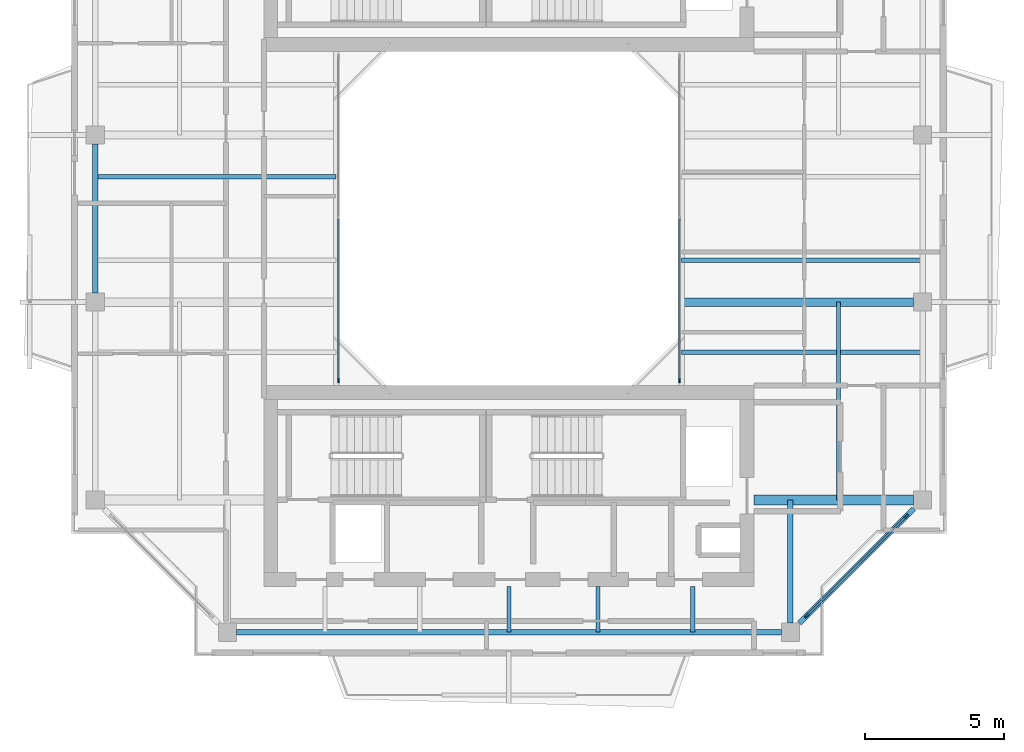
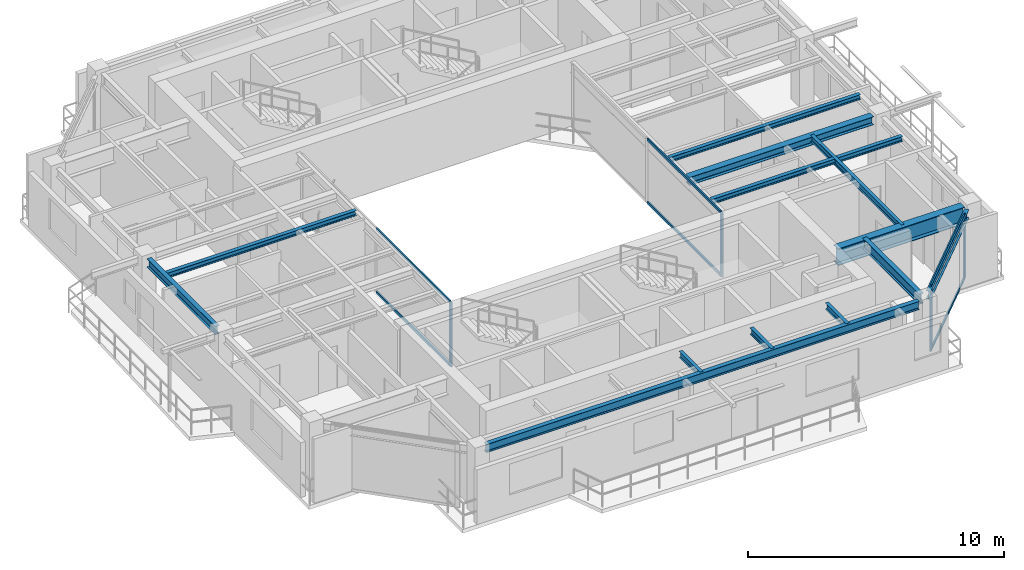
# One storey, part 4 of 15: 13 beams, 10 members, 3 elements without a shape of their own.
"""IFC4 building model written with IfcOpenShell, lengths in metres."""

import ifcopenshell
import ifcopenshell.guid

model = None  # the IFC model being written
_history = None  # IfcOwnerHistory: only IFC2X3 demands one
_inside = {}  # id of a spatial element -> (the spatial element, [elements in it])
_under = {}  # id of a project, library or spatial element -> (it, [spatial elements below it])
_declared = {}  # id of a project -> (the project, [libraries it declares])
_typed = {}  # id of a type object -> (the type object, [elements of that type])
_made_of = {}  # id of a material, layer set ... -> (it, [elements and type objects made of it])


def new_model(schema):
    """Start an empty IFC model of exactly this schema.

    Asked for "IFC4X3", IfcOpenShell would pick the latest addendum, in which some entities
    have other attributes; the version numbers below select the first issue.
    IFC2X3 requires an IfcOwnerHistory on every rooted entity: one is made here for all.
    """
    global model, _history
    if schema == "IFC4X3":
        model = ifcopenshell.file(schema_version=(4, 3, 0, 0))
    else:
        model = ifcopenshell.file(schema=schema)
    _inside.clear()
    _under.clear()
    _declared.clear()
    _typed.clear()
    _made_of.clear()
    _history = None
    if model.schema == "IFC2X3":
        org = make("IfcOrganization", Name="unknown")
        user = make(
            "IfcPersonAndOrganization",
            ThePerson=make("IfcPerson", FamilyName="unknown"),
            TheOrganization=org,
        )
        app = make(
            "IfcApplication",
            ApplicationDeveloper=org,
            Version="unknown",
            ApplicationFullName="unknown",
            ApplicationIdentifier="unknown",
        )
        _history = make(
            "IfcOwnerHistory",
            OwningUser=user,
            OwningApplication=app,
            ChangeAction="ADDED",
            CreationDate=0,
        )
    return model


def make(cls, **values):
    """One entity of the class cls with the attributes given. An attribute that is None is left unset."""
    return model.create_entity(
        cls, **{name: value for name, value in values.items() if value is not None}
    )


def rooted(cls, **values):
    """An entity with a GlobalId (a new one), such as an element, a storey or a relation."""
    return make(cls, GlobalId=ifcopenshell.guid.new(), OwnerHistory=_history, **values)


def si_unit(unit_type, name, prefix=None):
    """IfcSIUnit, for example si_unit("LENGTHUNIT", "METRE", prefix="MILLI")."""
    return make("IfcSIUnit", UnitType=unit_type, Prefix=prefix, Name=name)


def assignment(units):
    """IfcUnitAssignment: the units of a project."""
    return None if units is None else make("IfcUnitAssignment", Units=units)


def point(xyz):
    """IfcCartesianPoint."""
    return None if xyz is None else make("IfcCartesianPoint", Coordinates=xyz)


def direction(xyz):
    """IfcDirection."""
    return None if xyz is None else make("IfcDirection", DirectionRatios=xyz)


def frame(location, z_axis=None, x_axis=None):
    """IfcAxis2Placement3D, a coordinate frame: its origin and axes. An axis left out is left unset."""
    return make(
        "IfcAxis2Placement3D",
        Location=point(location),
        Axis=direction(z_axis),
        RefDirection=direction(x_axis),
    )


def frame_2d(location, x_axis=None):
    """IfcAxis2Placement2D, a coordinate frame in the plane: its origin and x axis."""
    return make(
        "IfcAxis2Placement2D", Location=point(location), RefDirection=direction(x_axis)
    )


def origin():
    """The frame at (0, 0, 0) with its axes left unset."""
    return frame((0.0, 0.0, 0.0))


def origin_2d():
    """The frame at (0, 0) in the plane with its x axis left unset."""
    return frame_2d((0.0, 0.0))


def place(relative_to, where):
    """IfcLocalPlacement: puts the frame where relative to a parent placement (None: the world)."""
    return make(
        "IfcLocalPlacement", PlacementRelTo=relative_to, RelativePlacement=where
    )


def context(
    kind, dimensions, precision=None, world=None, true_north=None, identifier=None
):
    """IfcGeometricRepresentationContext, for example the 3D "Model" context."""
    return make(
        "IfcGeometricRepresentationContext",
        ContextIdentifier=identifier,
        ContextType=kind,
        CoordinateSpaceDimension=dimensions,
        Precision=precision,
        WorldCoordinateSystem=world,
        TrueNorth=true_north,
    )


def subcontext(parent, identifier, kind, view, scale=None):
    """IfcGeometricRepresentationSubContext, for example "Body" below "Model"."""
    return make(
        "IfcGeometricRepresentationSubContext",
        ContextIdentifier=identifier,
        ContextType=kind,
        ParentContext=parent,
        TargetScale=scale,
        TargetView=view,
    )


def project(units=None, contexts=None):
    """IfcProject with its units and contexts."""
    return rooted(
        "IfcProject",
        Name="project",
        RepresentationContexts=contexts,
        UnitsInContext=assignment(units),
    )


def spatial(cls, under=None, at=None, **own):
    """A site, building, storey or space (cls), placed at a placement, below another one or the project."""
    s = rooted(cls, ObjectPlacement=at, **own)
    if under is not None:
        _under.setdefault(under.id(), (under, []))[1].append(s)
    return s


def profile(cls, at=None, kind="AREA", **sizes):
    """A parametric profile (cls). Its sizes go by their IFC names, for example OverallWidth=200.0."""
    return make(cls, ProfileType=kind, Position=at, **sizes)


def rectangle(**sizes):
    """IfcRectangleProfileDef."""
    return profile("IfcRectangleProfileDef", **sizes)


def i_section(**sizes):
    """IfcIShapeProfileDef."""
    return profile("IfcIShapeProfileDef", **sizes)


def extrude(swept, where, along, depth):
    """IfcExtrudedAreaSolid: the profile swept, set in the frame where, extruded along a direction by depth."""
    return make(
        "IfcExtrudedAreaSolid",
        SweptArea=swept,
        Position=where,
        ExtrudedDirection=direction(along),
        Depth=depth,
    )


def shape(context_of_items, identifier, shape_type, items):
    """IfcShapeRepresentation: the items that make up one representation, for example the "Body"."""
    return make(
        "IfcShapeRepresentation",
        ContextOfItems=context_of_items,
        RepresentationIdentifier=identifier,
        RepresentationType=shape_type,
        Items=items,
    )


def source(mapping_origin, context_of_items, identifier, shape_type, items):
    """IfcRepresentationMap: a shape defined once, which mapped items show again and again."""
    return make(
        "IfcRepresentationMap",
        MappingOrigin=mapping_origin,
        MappedRepresentation=shape(context_of_items, identifier, shape_type, items),
    )


def transform(
    local_origin,
    x_axis=None,
    y_axis=None,
    z_axis=None,
    scale=None,
    scale2=None,
    scale3=None,
    uniform=True,
):
    """IfcCartesianTransformationOperator3D, or its non-uniform kind. x_axis, y_axis, z_axis: its Axis1, 2, 3."""
    if uniform:
        return make(
            "IfcCartesianTransformationOperator3D",
            Axis1=direction(x_axis),
            Axis2=direction(y_axis),
            LocalOrigin=point(local_origin),
            Scale=scale,
            Axis3=direction(z_axis),
        )
    return make(
        "IfcCartesianTransformationOperator3DnonUniform",
        Axis1=direction(x_axis),
        Axis2=direction(y_axis),
        LocalOrigin=point(local_origin),
        Scale=scale,
        Axis3=direction(z_axis),
        Scale2=scale2,
        Scale3=scale3,
    )


def mapped(mapping_source, mapping_target):
    """IfcMappedItem: shows the shape of a source again, moved by a transform."""
    return make(
        "IfcMappedItem", MappingSource=mapping_source, MappingTarget=mapping_target
    )


def material(Name=None, Category=None):
    """IfcMaterial."""
    return make("IfcMaterial", Name=Name, Category=Category)


def layer(
    of_material, thickness, ventilated=None, Name=None, Category=None, Priority=None
):
    """IfcMaterialLayer: one layer of a wall or slab, of a material (None: an air gap)."""
    return make(
        "IfcMaterialLayer",
        Material=of_material,
        LayerThickness=thickness,
        IsVentilated=ventilated,
        Name=Name,
        Category=Category,
        Priority=Priority,
    )


def layer_set(layers, Name=None):
    """IfcMaterialLayerSet."""
    return make("IfcMaterialLayerSet", MaterialLayers=layers, LayerSetName=Name)


def material_profile(
    of_material, cross_section, Name=None, Category=None, Priority=None
):
    """IfcMaterialProfile: a cross section and its material."""
    return make(
        "IfcMaterialProfile",
        Name=Name,
        Material=of_material,
        Profile=cross_section,
        Priority=Priority,
        Category=Category,
    )


def profile_set(profiles, Name=None, composite=None):
    """IfcMaterialProfileSet."""
    return make(
        "IfcMaterialProfileSet",
        Name=Name,
        MaterialProfiles=profiles,
        CompositeProfile=composite,
    )


def made_of(thing, what):
    """Note that an element or type object is made of a material, layer set ...; save() writes the relation."""
    if what is not None:
        _made_of.setdefault(what.id(), (what, []))[1].append(thing)
    return thing


def type_object(cls, material=None, **own):
    """A type object (cls), such as IfcWallType, which elements share."""
    return made_of(rooted(cls, **own), material)


def element(
    cls,
    number,
    at=None,
    inside=None,
    cuts=None,
    type_object=None,
    material=None,
    context=None,
    identifier="Body",
    shape_type=None,
    held_by="IfcProductDefinitionShape",
    body=None,
    shapes=None,
    **own,
):
    """One element of the class cls, such as IfcWall. Its Tag is "e" and its number.

    at: its placement. inside: the storey or other place that contains it. cuts: it is an
    opening in that element (IfcRelVoidsElement). A single representation is given by context,
    identifier, shape_type and body (its items); several are given by shapes. held_by: the class
    of the entity that holds the representations. save() writes the other relations.
    """
    e = rooted(cls, Tag="e%d" % number, ObjectPlacement=at, **own)
    if body is not None:
        shapes = [shape(context, identifier, shape_type, body)]
    if shapes is not None:
        e.Representation = make(held_by, Representations=shapes)
    if inside is not None:
        _inside.setdefault(inside.id(), (inside, []))[1].append(e)
    if cuts is not None:
        rooted(
            "IfcRelVoidsElement", RelatingBuildingElement=cuts, RelatedOpeningElement=e
        )
    if type_object is not None:
        _typed.setdefault(type_object.id(), (type_object, []))[1].append(e)
    return made_of(e, material)


def aggregate(whole, parts):
    """IfcRelAggregates: a whole, such as a stair, and the parts it consists of."""
    return rooted("IfcRelAggregates", RelatingObject=whole, RelatedObjects=parts)


def save(model, path):
    """Write the relations noted so far, then the file.

    IfcRelAggregates (storeys below a building ...), IfcRelContainedInSpatialStructure (elements
    in a storey), IfcRelDefinesByType, IfcRelAssociatesMaterial and IfcRelDeclares: one each for
    every whole, place, type object, material and project.
    """
    for whole, parts in _under.values():
        aggregate(whole, parts)
    for where, things in _inside.values():
        rooted(
            "IfcRelContainedInSpatialStructure",
            RelatedElements=things,
            RelatingStructure=where,
        )
    for kind, things in _typed.values():
        rooted("IfcRelDefinesByType", RelatedObjects=things, RelatingType=kind)
    for what, things in _made_of.values():
        rooted("IfcRelAssociatesMaterial", RelatedObjects=things, RelatingMaterial=what)
    for by, libraries in _declared.values():
        rooted("IfcRelDeclares", RelatingContext=by, RelatedDefinitions=libraries)
    model.write(path)


model = new_model("IFC4")

# Units and contexts
model_context = context("Model", 3, precision=1e-05, world=origin(), true_north=direction((0.0, 1.0)))
body_context = subcontext(model_context, "Body", "Model", "MODEL_VIEW")
ifc_project = project(units=[si_unit("LENGTHUNIT", "METRE"), si_unit("AREAUNIT", "SQUARE_METRE"), si_unit("VOLUMEUNIT", "CUBIC_METRE"), si_unit("PLANEANGLEUNIT", "RADIAN"), si_unit("MASSUNIT", "GRAM", prefix="KILO"), si_unit("THERMODYNAMICTEMPERATUREUNIT", "KELVIN"), si_unit("POWERUNIT", "WATT")], contexts=[model_context])

# Site, building, storey
site_placement = place(None, origin())
site = spatial("IfcSite", under=ifc_project, at=site_placement, CompositionType="ELEMENT")
building_placement = place(site_placement, origin())
building = spatial("IfcBuilding", under=site, at=building_placement, Name="Qiaomeng Ring Towers", CompositionType="ELEMENT")
storey_placement = place(building_placement, frame((0.0, 0.0, 250.25)))
storey = spatial("IfcBuildingStorey", under=building, at=storey_placement, Name="L73", CompositionType="ELEMENT", Elevation=250.25)

# Beams
ifc_material_1 = material(Name="Steel Q355B", Category="steel")
ifc_material_profile_1 = material_profile(ifc_material_1, i_section(OverallWidth=0.198974609375, OverallDepth=0.39599609375, WebThickness=0.007080078125, FlangeThickness=0.010986328125, FilletRadius=0.01611328125, at=origin_2d()), Name="HN 396x199x7x11")
ifc_profile_set_1 = profile_set([ifc_material_profile_1], Name="Steel Q355B")
beam_type_1 = type_object("IfcBeamType", Name="STR-BM-HN396", PredefinedType="SPANDREL", material=ifc_profile_set_1)
shared_shape_1 = source(origin(), body_context, "Body", "SweptSolid", [
    extrude(i_section(OverallWidth=0.198974609375, OverallDepth=0.39599609375, WebThickness=0.007080078125, FlangeThickness=0.010986328125, FilletRadius=0.01611328125, at=origin_2d()), origin(), (0.0, 0.0, 1.0), 19.5517578125),
])
beam_1_placement = place(storey_placement, frame((9.22412109375, 8.14990234375, 2.8720703125), z_axis=(1.0, 0.0, 0.0), x_axis=(0.0, 1.0, 0.0)))
element("IfcBeam", 1, at=beam_1_placement, inside=storey, type_object=beam_type_1, Name="L73 beam STR-SP-L73-T1-S1-S2", PredefinedType="SPANDREL", context=body_context, shape_type="MappedRepresentation", body=[
    mapped(shared_shape_1, transform((0.0, 0.0, 0.0), x_axis=(1.0, 0.0, 0.0), y_axis=(0.0, 1.0, 0.0), z_axis=(0.0, 0.0, 1.0), scale=1.0)),
])
shared_shape_2 = source(origin(), body_context, "Body", "SweptSolid", [
    extrude(i_section(OverallWidth=0.198974609375, OverallDepth=0.39599609375, WebThickness=0.007080078125, FlangeThickness=0.010986328125, FilletRadius=0.01611328125, at=origin_2d()), origin(), (0.0, 0.0, 1.0), 5.800048828125),
])
beam_2_placement = place(storey_placement, frame((29.42431640625, 8.474365234375, 2.8720703125), z_axis=(0.707106781187, 0.707106781187, 0.0), x_axis=(-0.707106781187, 0.707106781187, 0.0)))
element("IfcBeam", 2, at=beam_2_placement, inside=storey, type_object=beam_type_1, Name="L73 beam STR-SP-L73-T1-S2-E1", PredefinedType="SPANDREL", context=body_context, shape_type="MappedRepresentation", body=[
    mapped(shared_shape_2, transform((0.0, 0.0, 0.0), x_axis=(1.0, 0.0, 0.0), y_axis=(0.0, 1.0, 0.0), z_axis=(0.0, 0.0, 1.0), scale=1.0)),
])
shared_shape_3 = source(origin(), body_context, "Body", "SweptSolid", [
    extrude(i_section(OverallWidth=0.198974609375, OverallDepth=0.39599609375, WebThickness=0.007080078125, FlangeThickness=0.010986328125, FilletRadius=0.01611328125, at=origin_2d()), origin(), (0.0, 0.0, 1.0), 5.35205078125),
])
beam_3_placement = place(storey_placement, frame((4.14990234375, 25.676025390625, 2.8720703125), z_axis=(0.0, -1.0, 0.0), x_axis=(1.0, 0.0, 0.0)))
element("IfcBeam", 3, at=beam_3_placement, inside=storey, type_object=beam_type_1, Name="L73 beam STR-SP-L73-T1-W3-W2", PredefinedType="SPANDREL", context=body_context, shape_type="MappedRepresentation", body=[
    mapped(shared_shape_3, transform((0.0, 0.0, 0.0), x_axis=(1.0, 0.0, 0.0), y_axis=(0.0, 1.0, 0.0), z_axis=(0.0, 0.0, 1.0), scale=1.0)),
])
ifc_material_2 = material(Name="Steel Q390GJC", Category="steel")
ifc_material_profile_2 = material_profile(ifc_material_2, i_section(OverallWidth=0.35009765625, OverallDepth=0.800048828125, WebThickness=0.01611328125, FlangeThickness=0.028076171875, at=origin_2d()), Name="WH 800x350x16x28")
ifc_profile_set_2 = profile_set([ifc_material_profile_2], Name="Steel Q390GJC")
beam_type_2 = type_object("IfcBeamType", Name="STR-BM-WH800", PredefinedType="BEAM", material=ifc_profile_set_2)
shared_shape_4 = source(origin(), body_context, "Body", "SweptSolid", [
    extrude(i_section(OverallWidth=0.35009765625, OverallDepth=0.800048828125, WebThickness=0.01611328125, FlangeThickness=0.028076171875, at=origin_2d()), origin(), (0.0, 0.0, 1.0), 5.725830078125),
])
beam_4_placement = place(storey_placement, frame((27.800048828125, 12.89990234375, 2.669921875), z_axis=(1.0, 0.0, 0.0), x_axis=(0.0, 1.0, 0.0)))
element("IfcBeam", 4, at=beam_4_placement, inside=storey, type_object=beam_type_2, Name="L73 beam STR-BM-L73-T1-RAD-E1", PredefinedType="BEAM", context=body_context, shape_type="MappedRepresentation", body=[
    mapped(shared_shape_4, transform((0.0, 0.0, 0.0), x_axis=(1.0, 0.0, 0.0), y_axis=(0.0, 1.0, 0.0), z_axis=(0.0, 0.0, 1.0), scale=1.0)),
])
ifc_material_profile_3 = material_profile(ifc_material_1, i_section(OverallWidth=0.198974609375, OverallDepth=0.49609375, WebThickness=0.009033203125, FlangeThickness=0.013916015625, FilletRadius=0.01806640625, at=origin_2d()), Name="HN 496x199x9x14")
ifc_profile_set_3 = profile_set([ifc_material_profile_3], Name="Steel Q355B")
beam_type_3 = type_object("IfcBeamType", Name="STR-BM-HN496", PredefinedType="BEAM", material=ifc_profile_set_3)
shared_shape_5 = source(origin(), body_context, "Body", "SweptSolid", [
    extrude(i_section(OverallWidth=0.198974609375, OverallDepth=0.49609375, WebThickness=0.009033203125, FlangeThickness=0.013916015625, FilletRadius=0.01806640625, at=origin_2d()), origin(), (0.0, 0.0, 1.0), 4.42578125),
])
beam_5_placement = place(storey_placement, frame((29.10009765625, 8.47412109375, 2.822021484375), z_axis=(0.0, 1.0, 0.0), x_axis=(-1.0, 0.0, 0.0)))
element("IfcBeam", 5, at=beam_5_placement, inside=storey, type_object=beam_type_3, Name="L73 beam STR-BM-L73-T1-RAD-S2", PredefinedType="BEAM", context=body_context, shape_type="MappedRepresentation", body=[
    mapped(shared_shape_5, transform((0.0, 0.0, 0.0), x_axis=(1.0, 0.0, 0.0), y_axis=(0.0, 1.0, 0.0), z_axis=(0.0, 0.0, 1.0), scale=1.0)),
])
ifc_material_profile_4 = material_profile(ifc_material_1, i_section(OverallWidth=0.300048828125, OverallDepth=0.389892578125, WebThickness=0.010009765625, FlangeThickness=0.01611328125, FilletRadius=0.02197265625, at=origin_2d()), Name="HM 390x300x10x16")
ifc_profile_set_4 = profile_set([ifc_material_profile_4], Name="Steel Q355B")
beam_type_4 = type_object("IfcBeamType", Name="STR-BM-HM390", PredefinedType="BEAM", material=ifc_profile_set_4)
shared_shape_6 = source(origin(), body_context, "Body", "SweptSolid", [
    extrude(i_section(OverallWidth=0.300048828125, OverallDepth=0.389892578125, WebThickness=0.010009765625, FlangeThickness=0.01611328125, FilletRadius=0.02197265625, at=origin_2d()), origin(), (0.0, 0.0, 1.0), 8.325927734375),
])
beam_6_placement = place(storey_placement, frame((25.199951171875, 20.0, 2.875), z_axis=(1.0, 0.0, 0.0), x_axis=(0.0, 1.0, 0.0)))
element("IfcBeam", 6, at=beam_6_placement, inside=storey, type_object=beam_type_4, Name="L73 beam STR-BM-L73-T1-RAD-E2", PredefinedType="BEAM", context=body_context, shape_type="MappedRepresentation", body=[
    mapped(shared_shape_6, transform((0.0, 0.0, 0.0), x_axis=(1.0, 0.0, 0.0), y_axis=(0.0, 1.0, 0.0), z_axis=(0.0, 0.0, 1.0), scale=1.0)),
])
ifc_material_profile_5 = material_profile(ifc_material_1, i_section(OverallWidth=0.14990234375, OverallDepth=0.300048828125, WebThickness=0.006591796875, FlangeThickness=0.009033203125, FilletRadius=0.012939453125, at=origin_2d()), Name="HN 300x150x6.5x9")
ifc_profile_set_5 = profile_set([ifc_material_profile_5], Name="Steel Q355B")
beam_type_5 = type_object("IfcBeamType", Name="STR-BM-HN300", PredefinedType="JOIST", material=ifc_profile_set_5)
shared_shape_7 = source(origin(), body_context, "Body", "SweptSolid", [
    extrude(i_section(OverallWidth=0.14990234375, OverallDepth=0.300048828125, WebThickness=0.006591796875, FlangeThickness=0.009033203125, FilletRadius=0.012939453125, at=origin_2d()), origin(), (0.0, 0.0, 1.0), 1.650146484375),
])
for number, where, z_axis, x_axis, name in (
    (7, (19.0, 8.14990234375, 2.919921875), (0.0, 1.0, 0.0), (-1.0, 0.0, 0.0), "L73 beam STR-JST-L73-T1S-3"),
    (8, (22.199951171875, 8.14990234375, 2.919921875), (0.0, 1.0, 0.0), (-1.0, 0.0, 0.0), "L73 beam STR-JST-L73-T1S-4"),
    (9, (25.60009765625, 8.14990234375, 2.919921875), (0.0, 1.0, 0.0), (-1.0, 0.0, 0.0), "L73 beam STR-JST-L73-T1S-5"),
):
    element("IfcBeam", number, at=place(storey_placement, frame(where, z_axis=z_axis, x_axis=x_axis)), inside=storey, type_object=beam_type_5, Name=name, PredefinedType="JOIST", context=body_context, shape_type="MappedRepresentation", body=[
        mapped(shared_shape_7, transform((0.0, 0.0, 0.0), x_axis=(1.0, 0.0, 0.0), y_axis=(0.0, 1.0, 0.0), z_axis=(0.0, 0.0, 1.0), scale=1.0)),
    ])
ifc_material_profile_6 = material_profile(ifc_material_1, i_section(OverallWidth=0.175048828125, OverallDepth=0.243896484375, WebThickness=0.007080078125, FlangeThickness=0.010986328125, FilletRadius=0.01611328125, at=origin_2d()), Name="HM 244x175x7x11")
ifc_profile_set_6 = profile_set([ifc_material_profile_6], Name="Steel Q355B")
beam_type_6 = type_object("IfcBeamType", Name="STR-BM-HM244", PredefinedType="JOIST", material=ifc_profile_set_6)
shared_shape_8 = source(origin(), body_context, "Body", "SweptSolid", [
    extrude(i_section(OverallWidth=0.175048828125, OverallDepth=0.243896484375, WebThickness=0.007080078125, FlangeThickness=0.010986328125, FilletRadius=0.01611328125, at=origin_2d()), origin(), (0.0, 0.0, 1.0), 8.650146484375),
])
for number, where, z_axis, x_axis, name in (
    (10, (25.199951171875, 18.199951171875, 2.947998046875), (1.0, 0.0, 0.0), (0.0, 1.0, 0.0), "L73 beam STR-JST-L73-T1E-1"),
    (11, (25.199951171875, 21.5, 2.947998046875), (1.0, 0.0, 0.0), (0.0, 1.0, 0.0), "L73 beam STR-JST-L73-T1E-2"),
    (12, (4.14990234375, 24.5, 2.947998046875), (1.0, 0.0, 0.0), (0.0, 1.0, 0.0), "L73 beam STR-JST-L73-T1W-3"),
):
    element("IfcBeam", number, at=place(storey_placement, frame(where, z_axis=z_axis, x_axis=x_axis)), inside=storey, type_object=beam_type_6, Name=name, PredefinedType="JOIST", context=body_context, shape_type="MappedRepresentation", body=[
        mapped(shared_shape_8, transform((0.0, 0.0, 0.0), x_axis=(1.0, 0.0, 0.0), y_axis=(0.0, 1.0, 0.0), z_axis=(0.0, 0.0, 1.0), scale=1.0)),
    ])
shared_shape_9 = source(origin(), body_context, "Body", "SweptSolid", [
    extrude(i_section(OverallWidth=0.14990234375, OverallDepth=0.300048828125, WebThickness=0.006591796875, FlangeThickness=0.009033203125, FilletRadius=0.012939453125, at=origin_2d()), origin(), (0.0, 0.0, 1.0), 7.10009765625),
])
beam_7_placement = place(storey_placement, frame((30.824951171875, 12.89990234375, 2.919921875), z_axis=(0.0, 1.0, 0.0), x_axis=(-1.0, 0.0, 0.0)))
element("IfcBeam", 13, at=beam_7_placement, inside=storey, type_object=beam_type_5, Name="L73 beam STR-JST-L73-T1C-ES", PredefinedType="JOIST", context=body_context, shape_type="MappedRepresentation", body=[
    mapped(shared_shape_9, transform((0.0, 0.0, 0.0), x_axis=(1.0, 0.0, 0.0), y_axis=(0.0, 1.0, 0.0), z_axis=(0.0, 0.0, 1.0), scale=1.0)),
])

# Curtain wall, member
ifc_material_3 = material(Name="Fluorocarbon dark-grey aluminium", Category="aluminium")
ifc_layer_1 = layer(ifc_material_3, 0.139892578125, Name="Fluorocarbon dark-grey aluminium")
ifc_layer_set_1 = layer_set([ifc_layer_1], Name="Fluorocarbon dark-grey aluminium")
curtain_wall_type_1 = type_object("IfcCurtainWallType", Name="ARC-CW-4", PredefinedType="NOTDEFINED", material=ifc_layer_set_1)
curtain_wall_1_placement = place(storey_placement, origin())
curtain_wall_1 = element("IfcCurtainWall", 14, at=curtain_wall_1_placement, inside=storey, type_object=curtain_wall_type_1, Name="L73 Curtain Wall CW4", PredefinedType="NOTDEFINED")
ifc_material_profile_7 = material_profile(ifc_material_3, rectangle(XDim=0.06494140625, YDim=0.159912109375, at=origin_2d()), Name="ALU MULL 65x160")
ifc_profile_set_7 = profile_set([ifc_material_profile_7], Name="Fluorocarbon dark-grey aluminium")
member_type_1 = type_object("IfcMemberType", Name="ARC-CWM-140", PredefinedType="MULLION", material=ifc_profile_set_7)
shared_shape_10 = source(origin(), body_context, "Body", "SweptSolid", [
    extrude(rectangle(XDim=0.06494140625, YDim=0.159912109375, at=origin_2d()), origin(), (0.0, 0.0, 1.0), 3.070068359375),
])
member_1_placement = place(storey_placement, frame((12.8798828125, 17.1826171875, 0.0), z_axis=(0.0, 0.0, 1.0), x_axis=(-1.0, 0.0, 0.0)))
member_1 = element("IfcMember", 15, at=member_1_placement, type_object=member_type_1, Name="CW4 mullion 1", PredefinedType="MULLION", context=body_context, shape_type="MappedRepresentation", body=[
    mapped(shared_shape_10, transform((0.0, 0.0, 0.0), x_axis=(1.0, 0.0, 0.0), y_axis=(0.0, 1.0, 0.0), z_axis=(0.0, 0.0, 1.0), scale=1.0)),
])

curtain_wall_2_placement = place(storey_placement, origin())
curtain_wall_2 = element("IfcCurtainWall", 16, at=curtain_wall_2_placement, inside=storey, type_object=curtain_wall_type_1, Name="L73 Curtain Wall CW4", PredefinedType="NOTDEFINED")
member_2_placement = place(storey_placement, frame((25.1201171875, 17.1826171875, 0.0), z_axis=(0.0, 0.0, 1.0), x_axis=(-1.0, 0.0, 0.0)))
member_2 = element("IfcMember", 17, at=member_2_placement, type_object=member_type_1, Name="CW4 mullion 1", PredefinedType="MULLION", context=body_context, shape_type="MappedRepresentation", body=[
    mapped(shared_shape_10, transform((0.0, 0.0, 0.0), x_axis=(1.0, 0.0, 0.0), y_axis=(0.0, 1.0, 0.0), z_axis=(0.0, 0.0, 1.0), scale=1.0)),
])

# Member
ifc_material_profile_8 = material_profile(ifc_material_3, rectangle(XDim=0.06494140625, YDim=0.1298828125, at=origin_2d()), Name="ALU TRAN 65x130")
ifc_profile_set_8 = profile_set([ifc_material_profile_8], Name="Fluorocarbon dark-grey aluminium")
member_type_2 = type_object("IfcMemberType", Name="ARC-CWT-120", PredefinedType="USERDEFINED", material=ifc_profile_set_8)
shared_shape_11 = source(origin(), body_context, "Body", "SweptSolid", [
    extrude(rectangle(XDim=0.06494140625, YDim=0.1298828125, at=origin_2d()), origin(), (0.0, 0.0, 1.0), 5.75244140625),
])
member_3_placement = place(storey_placement, frame((12.8798828125, 17.215087890625, 0.032470703125), z_axis=(0.0, 1.0, 0.0), x_axis=(-1.0, 0.0, 0.0)))
member_3 = element("IfcMember", 18, at=member_3_placement, type_object=member_type_2, Name="CW4 transom 1.1", ObjectType="TRANSOM", PredefinedType="USERDEFINED", context=body_context, shape_type="MappedRepresentation", body=[
    mapped(shared_shape_11, transform((0.0, 0.0, 0.0), x_axis=(1.0, 0.0, 0.0), y_axis=(0.0, 1.0, 0.0), z_axis=(0.0, 0.0, 1.0), scale=1.0)),
])

member_4_placement = place(storey_placement, frame((12.8798828125, 17.215087890625, 3.03759765625), z_axis=(0.0, 1.0, 0.0), x_axis=(-1.0, 0.0, 0.0)))
member_4 = element("IfcMember", 19, at=member_4_placement, type_object=member_type_2, Name="CW4 transom 1.2", ObjectType="TRANSOM", PredefinedType="USERDEFINED", context=body_context, shape_type="MappedRepresentation", body=[
    mapped(shared_shape_11, transform((0.0, 0.0, 0.0), x_axis=(1.0, 0.0, 0.0), y_axis=(0.0, 1.0, 0.0), z_axis=(0.0, 0.0, 1.0), scale=1.0)),
])

aggregate(curtain_wall_1, [member_1, member_3, member_4])

member_5_placement = place(storey_placement, frame((25.1201171875, 17.215087890625, 0.032470703125), z_axis=(0.0, 1.0, 0.0), x_axis=(-1.0, 0.0, 0.0)))
member_5 = element("IfcMember", 20, at=member_5_placement, type_object=member_type_2, Name="CW4 transom 1.1", ObjectType="TRANSOM", PredefinedType="USERDEFINED", context=body_context, shape_type="MappedRepresentation", body=[
    mapped(shared_shape_11, transform((0.0, 0.0, 0.0), x_axis=(1.0, 0.0, 0.0), y_axis=(0.0, 1.0, 0.0), z_axis=(0.0, 0.0, 1.0), scale=1.0)),
])

member_6_placement = place(storey_placement, frame((25.1201171875, 17.215087890625, 3.03759765625), z_axis=(0.0, 1.0, 0.0), x_axis=(-1.0, 0.0, 0.0)))
member_6 = element("IfcMember", 21, at=member_6_placement, type_object=member_type_2, Name="CW4 transom 1.2", ObjectType="TRANSOM", PredefinedType="USERDEFINED", context=body_context, shape_type="MappedRepresentation", body=[
    mapped(shared_shape_11, transform((0.0, 0.0, 0.0), x_axis=(1.0, 0.0, 0.0), y_axis=(0.0, 1.0, 0.0), z_axis=(0.0, 0.0, 1.0), scale=1.0)),
])

aggregate(curtain_wall_2, [member_2, member_5, member_6])

# Curtain wall, members
ifc_layer_2 = layer(ifc_material_3, 0.14990234375, Name="Fluorocarbon dark-grey aluminium")
ifc_layer_set_2 = layer_set([ifc_layer_2], Name="Fluorocarbon dark-grey aluminium")
curtain_wall_type_2 = type_object("IfcCurtainWallType", Name="ARC-CW-3", PredefinedType="NOTDEFINED", material=ifc_layer_set_2)
curtain_wall_3_placement = place(storey_placement, origin())
curtain_wall_3 = element("IfcCurtainWall", 22, at=curtain_wall_3_placement, inside=storey, type_object=curtain_wall_type_2, Name="L73 Curtain Wall CW3", PredefinedType="NOTDEFINED")
ifc_material_profile_9 = material_profile(ifc_material_3, rectangle(XDim=0.070068359375, YDim=0.179931640625, at=origin_2d()), Name="ALU MULL 70x180")
ifc_profile_set_9 = profile_set([ifc_material_profile_9], Name="Fluorocarbon dark-grey aluminium")
member_type_3 = type_object("IfcMemberType", Name="ARC-CWM-160", PredefinedType="MULLION", material=ifc_profile_set_9)
shared_shape_12 = source(origin(), body_context, "Body", "SweptSolid", [
    extrude(rectangle(XDim=0.070068359375, YDim=0.179931640625, at=origin_2d()), origin(), (0.0, 0.0, 1.0), 3.070068359375),
])
member_7_placement = place(storey_placement, frame((29.689697265625, 8.73974609375, 0.0), z_axis=(0.0, 0.0, 1.0), x_axis=(-0.707106781187, 0.707106781187, 0.0)))
member_7 = element("IfcMember", 23, at=member_7_placement, type_object=member_type_3, Name="CW3 mullion 1", PredefinedType="MULLION", context=body_context, shape_type="MappedRepresentation", body=[
    mapped(shared_shape_12, transform((0.0, 0.0, 0.0), x_axis=(1.0, 0.0, 0.0), y_axis=(0.0, 1.0, 0.0), z_axis=(0.0, 0.0, 1.0), scale=1.0)),
])
member_8_placement = place(storey_placement, frame((33.26025390625, 12.310302734375, 0.0), z_axis=(0.0, 0.0, 1.0), x_axis=(-0.707106781187, 0.707106781187, 0.0)))
member_8 = element("IfcMember", 24, at=member_8_placement, type_object=member_type_3, Name="CW3 mullion 2", PredefinedType="MULLION", context=body_context, shape_type="MappedRepresentation", body=[
    mapped(shared_shape_12, transform((0.0, 0.0, 0.0), x_axis=(1.0, 0.0, 0.0), y_axis=(0.0, 1.0, 0.0), z_axis=(0.0, 0.0, 1.0), scale=1.0)),
])
shared_shape_13 = source(origin(), body_context, "Body", "SweptSolid", [
    extrude(rectangle(XDim=0.06494140625, YDim=0.1298828125, at=origin_2d()), origin(), (0.0, 0.0, 1.0), 4.9794921875),
])
member_9_placement = place(storey_placement, frame((29.714599609375, 8.764404296875, 0.032470703125), z_axis=(0.707106781187, 0.707106781187, 0.0), x_axis=(-0.707106781187, 0.707106781187, 0.0)))
member_9 = element("IfcMember", 25, at=member_9_placement, type_object=member_type_2, Name="CW3 transom 1.1", ObjectType="TRANSOM", PredefinedType="USERDEFINED", context=body_context, shape_type="MappedRepresentation", body=[
    mapped(shared_shape_13, transform((0.0, 0.0, 0.0), x_axis=(1.0, 0.0, 0.0), y_axis=(0.0, 1.0, 0.0), z_axis=(0.0, 0.0, 1.0), scale=1.0)),
])
member_10_placement = place(storey_placement, frame((29.714599609375, 8.764404296875, 3.03759765625), z_axis=(0.707106781187, 0.707106781187, 0.0), x_axis=(-0.707106781187, 0.707106781187, 0.0)))
member_10 = element("IfcMember", 26, at=member_10_placement, type_object=member_type_2, Name="CW3 transom 1.2", ObjectType="TRANSOM", PredefinedType="USERDEFINED", context=body_context, shape_type="MappedRepresentation", body=[
    mapped(shared_shape_13, transform((0.0, 0.0, 0.0), x_axis=(1.0, 0.0, 0.0), y_axis=(0.0, 1.0, 0.0), z_axis=(0.0, 0.0, 1.0), scale=1.0)),
])
aggregate(curtain_wall_3, [member_7, member_8, member_9, member_10])

save(model, "model.ifc")
